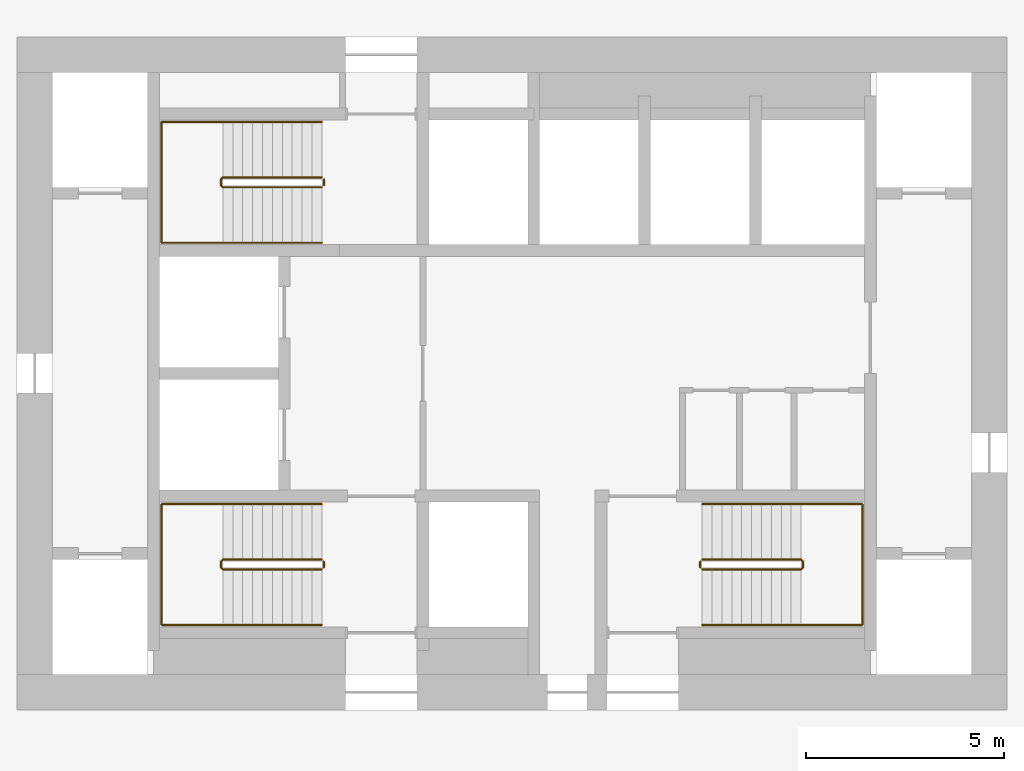
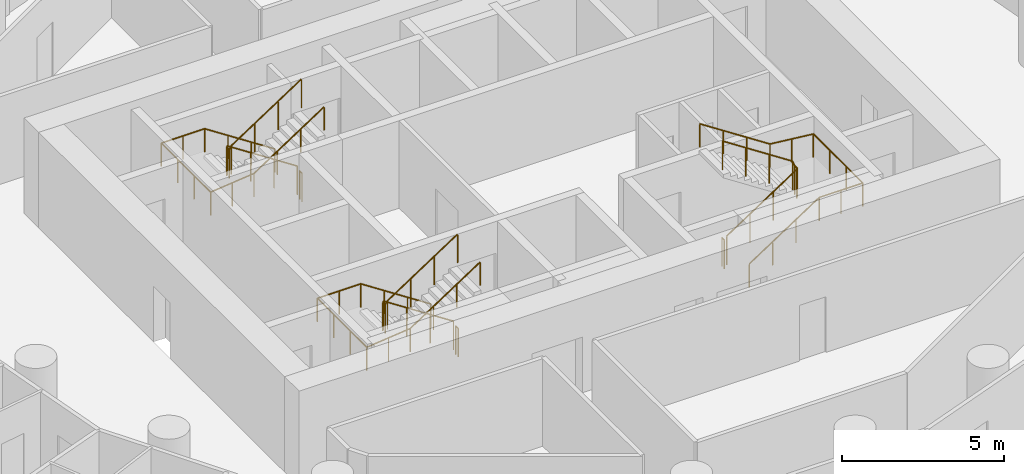
# One storey, part 9 of 9: 9 railings.
"""IFC4 building model written with IfcOpenShell, lengths in metres."""

from ifc_helpers import new_model, si_unit, direction, frame, origin, origin_2d, place, context, subcontext, project, spatial, circle, extrude, material, type_object, element, save


model = new_model("IFC4")

# Units and contexts
model_context = context("Model", 3, precision=1e-05, world=origin(), true_north=direction((0.0, 1.0)))
body_context = subcontext(model_context, "Body", "Model", "MODEL_VIEW")
ifc_project = project(units=[si_unit("LENGTHUNIT", "METRE"), si_unit("AREAUNIT", "SQUARE_METRE"), si_unit("VOLUMEUNIT", "CUBIC_METRE"), si_unit("PLANEANGLEUNIT", "RADIAN"), si_unit("MASSUNIT", "GRAM", prefix="KILO")], contexts=[model_context])

# Site, building, storey
site_placement = place(None, origin())
site = spatial("IfcSite", under=ifc_project, at=site_placement, CompositionType="ELEMENT")
building_placement = place(site_placement, origin())
building = spatial("IfcBuilding", under=site, at=building_placement, Name="Tracery Tower", CompositionType="ELEMENT")
storey_placement = place(building_placement, frame((0.0, 0.0, 205.199951171875)))
storey = spatial("IfcBuildingStorey", under=building, at=storey_placement, Name="L53", CompositionType="ELEMENT", Elevation=205.199951171875)

# Railings
ifc_material_1 = material(Name="Stainless steel and laminated glass", Category="steel")
railing_type_1 = type_object("IfcRailingType", Name="Stair guard 1100", PredefinedType="GUARDRAIL", material=ifc_material_1)
railing_1_placement = place(storey_placement, frame((-4.800048828125, -4.699951171875, 0.16357421875)))
element("IfcRailing", 1, at=railing_1_placement, inside=storey, type_object=railing_type_1, Name="L53 stair ST1 guard 1", PredefinedType="GUARDRAIL", context=body_context, shape_type="SweptSolid", body=[
    extrude(circle(Radius=0.02392578125, at=origin_2d()), frame((0.0, 0.0, 1.076171875), z_axis=(-0.83668449804, 0.0, 0.54768517484), x_axis=(0.0, -1.0, 0.0)), (0.0, 0.0, 1.0), 2.988037109375),
    extrude(circle(Radius=0.02392578125, at=origin_2d()), frame((-2.5, 0.0, 2.71240234375), z_axis=(-0.707106781187, -0.707106781187, 0.0), x_axis=(0.707106781187, -0.707106781187, 0.0)), (0.0, 0.0, 1.0), 0.07080078125),
    extrude(circle(Radius=0.02392578125, at=origin_2d()), frame((-2.550048828125, -0.050048828125, 2.71240234375), z_axis=(0.0, -1.0, 0.0), x_axis=(1.0, 0.0, 0.0)), (0.0, 0.0, 1.0), 0.14990234375),
    extrude(circle(Radius=0.02392578125, at=origin_2d()), frame((-2.550048828125, -0.199951171875, 2.71240234375), z_axis=(0.280808744504, -0.280808744504, 0.917765164963), x_axis=(0.707106781187, 0.707106781187, 0.0)), (0.0, 0.0, 1.0), 0.17822265625),
    extrude(circle(Radius=0.02392578125, at=origin_2d()), frame((-2.5, -0.25, 2.8759765625), z_axis=(0.83668449804, 0.0, 0.54768517484), x_axis=(0.0, 1.0, 0.0)), (0.0, 0.0, 1.0), 2.988037109375),
    extrude(circle(Radius=0.02099609375, at=origin_2d()), origin(), (0.0, 0.0, 1.0), 1.052001953125),
    extrude(circle(Radius=0.02099609375, at=origin_2d()), frame((-0.833251953125, 0.0, 0.54541015625)), (0.0, 0.0, 1.0), 1.052001953125),
    extrude(circle(Radius=0.02099609375, at=origin_2d()), frame((-1.666748046875, 0.0, 1.091064453125)), (0.0, 0.0, 1.0), 1.052001953125),
    extrude(circle(Radius=0.02099609375, at=origin_2d()), frame((-2.5, 0.0, 1.636474609375)), (0.0, 0.0, 1.0), 1.052001953125),
    extrude(circle(Radius=0.02099609375, at=origin_2d()), frame((-2.550048828125, -0.050048828125, 1.636474609375)), (0.0, 0.0, 1.0), 1.052001953125),
    extrude(circle(Radius=0.02099609375, at=origin_2d()), frame((-2.550048828125, -0.199951171875, 1.636474609375)), (0.0, 0.0, 1.0), 1.052001953125),
    extrude(circle(Radius=0.02099609375, at=origin_2d()), frame((-2.5, -0.25, 1.800048828125)), (0.0, 0.0, 1.0), 1.052001953125),
    extrude(circle(Radius=0.02099609375, at=origin_2d()), frame((-1.666748046875, -0.25, 2.345458984375)), (0.0, 0.0, 1.0), 1.052001953125),
    extrude(circle(Radius=0.02099609375, at=origin_2d()), frame((-0.833251953125, -0.25, 2.89111328125)), (0.0, 0.0, 1.0), 1.052001953125),
    extrude(circle(Radius=0.02099609375, at=origin_2d()), frame((0.0, -0.25, 3.4365234375)), (0.0, 0.0, 1.0), 1.052001953125),
])
railing_2_placement = place(storey_placement, frame((-4.75, -4.75, 0.0)))
element("IfcRailing", 2, at=railing_2_placement, inside=storey, type_object=railing_type_1, Name="L53 stair ST1 guard 2", PredefinedType="GUARDRAIL", context=body_context, shape_type="SweptSolid", body=[
    extrude(circle(Radius=0.02392578125, at=origin_2d()), frame((0.0, 0.0, 1.076171875), z_axis=(0.0, -1.0, 0.0), x_axis=(1.0, 0.0, 0.0)), (0.0, 0.0, 1.0), 0.14990234375),
    extrude(circle(Radius=0.02099609375, at=origin_2d()), origin(), (0.0, 0.0, 1.0), 1.052001953125),
    extrude(circle(Radius=0.02099609375, at=origin_2d()), frame((0.0, -0.14990234375, 0.0)), (0.0, 0.0, 1.0), 1.052001953125),
])
railing_3_placement = place(storey_placement, frame((-4.800048828125, 4.949951171875, 0.16357421875)))
element("IfcRailing", 3, at=railing_3_placement, inside=storey, type_object=railing_type_1, Name="L53 stair ST3 guard 1", PredefinedType="GUARDRAIL", context=body_context, shape_type="SweptSolid", body=[
    extrude(circle(Radius=0.02392578125, at=origin_2d()), frame((0.0, 0.0, 1.076171875), z_axis=(-0.83668449804, 0.0, 0.54768517484), x_axis=(0.0, -1.0, 0.0)), (0.0, 0.0, 1.0), 2.988037109375),
    extrude(circle(Radius=0.02392578125, at=origin_2d()), frame((-2.5, 0.0, 2.71240234375), z_axis=(-0.707106781187, -0.707106781187, 0.0), x_axis=(0.707106781187, -0.707106781187, 0.0)), (0.0, 0.0, 1.0), 0.07080078125),
    extrude(circle(Radius=0.02392578125, at=origin_2d()), frame((-2.550048828125, -0.050048828125, 2.71240234375), z_axis=(0.0, -1.0, 0.0), x_axis=(1.0, 0.0, 0.0)), (0.0, 0.0, 1.0), 0.14990234375),
    extrude(circle(Radius=0.02392578125, at=origin_2d()), frame((-2.550048828125, -0.199951171875, 2.71240234375), z_axis=(0.280808744504, -0.280808744504, 0.917765164963), x_axis=(0.707106781187, 0.707106781187, 0.0)), (0.0, 0.0, 1.0), 0.17822265625),
    extrude(circle(Radius=0.02392578125, at=origin_2d()), frame((-2.5, -0.25, 2.8759765625), z_axis=(0.83668449804, 0.0, 0.54768517484), x_axis=(0.0, 1.0, 0.0)), (0.0, 0.0, 1.0), 2.988037109375),
    extrude(circle(Radius=0.02099609375, at=origin_2d()), origin(), (0.0, 0.0, 1.0), 1.052001953125),
    extrude(circle(Radius=0.02099609375, at=origin_2d()), frame((-0.833251953125, 0.0, 0.54541015625)), (0.0, 0.0, 1.0), 1.052001953125),
    extrude(circle(Radius=0.02099609375, at=origin_2d()), frame((-1.666748046875, 0.0, 1.091064453125)), (0.0, 0.0, 1.0), 1.052001953125),
    extrude(circle(Radius=0.02099609375, at=origin_2d()), frame((-2.5, 0.0, 1.636474609375)), (0.0, 0.0, 1.0), 1.052001953125),
    extrude(circle(Radius=0.02099609375, at=origin_2d()), frame((-2.550048828125, -0.050048828125, 1.636474609375)), (0.0, 0.0, 1.0), 1.052001953125),
    extrude(circle(Radius=0.02099609375, at=origin_2d()), frame((-2.550048828125, -0.199951171875, 1.636474609375)), (0.0, 0.0, 1.0), 1.052001953125),
    extrude(circle(Radius=0.02099609375, at=origin_2d()), frame((-2.5, -0.25, 1.800048828125)), (0.0, 0.0, 1.0), 1.052001953125),
    extrude(circle(Radius=0.02099609375, at=origin_2d()), frame((-1.666748046875, -0.25, 2.345458984375)), (0.0, 0.0, 1.0), 1.052001953125),
    extrude(circle(Radius=0.02099609375, at=origin_2d()), frame((-0.833251953125, -0.25, 2.89111328125)), (0.0, 0.0, 1.0), 1.052001953125),
    extrude(circle(Radius=0.02099609375, at=origin_2d()), frame((0.0, -0.25, 3.4365234375)), (0.0, 0.0, 1.0), 1.052001953125),
])
railing_4_placement = place(storey_placement, frame((-4.75, 4.89990234375, 0.0)))
element("IfcRailing", 4, at=railing_4_placement, inside=storey, type_object=railing_type_1, Name="L53 stair ST3 guard 2", PredefinedType="GUARDRAIL", context=body_context, shape_type="SweptSolid", body=[
    extrude(circle(Radius=0.02392578125, at=origin_2d()), frame((0.0, 0.0, 1.076171875), z_axis=(0.0, -1.0, 0.0), x_axis=(1.0, 0.0, 0.0)), (0.0, 0.0, 1.0), 0.14990234375),
    extrude(circle(Radius=0.02099609375, at=origin_2d()), origin(), (0.0, 0.0, 1.0), 1.052001953125),
    extrude(circle(Radius=0.02099609375, at=origin_2d()), frame((0.0, -0.14990234375, 0.0)), (0.0, 0.0, 1.0), 1.052001953125),
])
railing_5_placement = place(storey_placement, frame((4.800048828125, -4.949951171875, 0.16357421875)))
element("IfcRailing", 5, at=railing_5_placement, inside=storey, type_object=railing_type_1, Name="L53 stair ST2 guard 1", PredefinedType="GUARDRAIL", context=body_context, shape_type="SweptSolid", body=[
    extrude(circle(Radius=0.02392578125, at=origin_2d()), frame((0.0, 0.0, 1.076171875), z_axis=(0.83668449804, 0.0, 0.54768517484), x_axis=(0.0, 1.0, 0.0)), (0.0, 0.0, 1.0), 2.988037109375),
    extrude(circle(Radius=0.02392578125, at=origin_2d()), frame((2.5, 0.0, 2.71240234375), z_axis=(0.707106781187, 0.707106781187, 0.0), x_axis=(-0.707106781187, 0.707106781187, 0.0)), (0.0, 0.0, 1.0), 0.07080078125),
    extrude(circle(Radius=0.02392578125, at=origin_2d()), frame((2.550048828125, 0.050048828125, 2.71240234375), z_axis=(0.0, 1.0, 0.0), x_axis=(-1.0, 0.0, 0.0)), (0.0, 0.0, 1.0), 0.14990234375),
    extrude(circle(Radius=0.02392578125, at=origin_2d()), frame((2.550048828125, 0.199951171875, 2.71240234375), z_axis=(-0.280808744504, 0.280808744504, 0.917765164963), x_axis=(-0.707106781187, -0.707106781187, 0.0)), (0.0, 0.0, 1.0), 0.17822265625),
    extrude(circle(Radius=0.02392578125, at=origin_2d()), frame((2.5, 0.25, 2.8759765625), z_axis=(-0.83668449804, 0.0, 0.54768517484), x_axis=(0.0, -1.0, 0.0)), (0.0, 0.0, 1.0), 2.988037109375),
    extrude(circle(Radius=0.02099609375, at=origin_2d()), origin(), (0.0, 0.0, 1.0), 1.052001953125),
    extrude(circle(Radius=0.02099609375, at=origin_2d()), frame((0.833251953125, 0.0, 0.54541015625)), (0.0, 0.0, 1.0), 1.052001953125),
    extrude(circle(Radius=0.02099609375, at=origin_2d()), frame((1.666748046875, 0.0, 1.091064453125)), (0.0, 0.0, 1.0), 1.052001953125),
    extrude(circle(Radius=0.02099609375, at=origin_2d()), frame((2.5, 0.0, 1.636474609375)), (0.0, 0.0, 1.0), 1.052001953125),
    extrude(circle(Radius=0.02099609375, at=origin_2d()), frame((2.550048828125, 0.050048828125, 1.636474609375)), (0.0, 0.0, 1.0), 1.052001953125),
    extrude(circle(Radius=0.02099609375, at=origin_2d()), frame((2.550048828125, 0.199951171875, 1.636474609375)), (0.0, 0.0, 1.0), 1.052001953125),
    extrude(circle(Radius=0.02099609375, at=origin_2d()), frame((2.5, 0.25, 1.800048828125)), (0.0, 0.0, 1.0), 1.052001953125),
    extrude(circle(Radius=0.02099609375, at=origin_2d()), frame((1.666748046875, 0.25, 2.345458984375)), (0.0, 0.0, 1.0), 1.052001953125),
    extrude(circle(Radius=0.02099609375, at=origin_2d()), frame((0.833251953125, 0.25, 2.89111328125)), (0.0, 0.0, 1.0), 1.052001953125),
    extrude(circle(Radius=0.02099609375, at=origin_2d()), frame((0.0, 0.25, 3.4365234375)), (0.0, 0.0, 1.0), 1.052001953125),
])
railing_6_placement = place(storey_placement, frame((4.75, -4.89990234375, 0.0)))
element("IfcRailing", 6, at=railing_6_placement, inside=storey, type_object=railing_type_1, Name="L53 stair ST2 guard 2", PredefinedType="GUARDRAIL", context=body_context, shape_type="SweptSolid", body=[
    extrude(circle(Radius=0.02392578125, at=origin_2d()), frame((0.0, 0.0, 1.076171875), z_axis=(0.0, 1.0, 0.0), x_axis=(-1.0, 0.0, 0.0)), (0.0, 0.0, 1.0), 0.14990234375),
    extrude(circle(Radius=0.02099609375, at=origin_2d()), origin(), (0.0, 0.0, 1.0), 1.052001953125),
    extrude(circle(Radius=0.02099609375, at=origin_2d()), frame((0.0, 0.14990234375, 0.0)), (0.0, 0.0, 1.0), 1.052001953125),
])
ifc_material_2 = material(Name="Stainless steel and laminated glass", Category="steel")
railing_type_2 = type_object("IfcRailingType", Name="Stair handrail 900", PredefinedType="HANDRAIL", material=ifc_material_2)
railing_7_placement = place(storey_placement, frame((-4.800048828125, -3.300048828125, 0.16357421875)))
element("IfcRailing", 7, at=railing_7_placement, inside=storey, type_object=railing_type_2, Name="L53 stair ST1 handrail 1", PredefinedType="HANDRAIL", context=body_context, shape_type="SweptSolid", body=[
    extrude(circle(Radius=0.02392578125, at=origin_2d()), frame((0.0, 0.0, 0.8759765625), z_axis=(-0.83668449804, 0.0, 0.54768517484), x_axis=(0.0, -1.0, 0.0)), (0.0, 0.0, 1.0), 2.988037109375),
    extrude(circle(Radius=0.02392578125, at=origin_2d()), frame((-2.5, 0.0, 2.51220703125), z_axis=(-1.0, 0.0, 0.0), x_axis=(0.0, -1.0, 0.0)), (0.0, 0.0, 1.0), 1.550048828125),
    extrude(circle(Radius=0.02392578125, at=origin_2d()), frame((-4.050048828125, 0.0, 2.51220703125), z_axis=(0.0, -1.0, 0.0), x_axis=(1.0, 0.0, 0.0)), (0.0, 0.0, 1.0), 3.050048828125),
    extrude(circle(Radius=0.02392578125, at=origin_2d()), frame((-4.050048828125, -3.050048828125, 2.51220703125), z_axis=(0.994477953863, 0.0, 0.104945696817), x_axis=(0.0, 1.0, 0.0)), (0.0, 0.0, 1.0), 1.55859375),
    extrude(circle(Radius=0.02392578125, at=origin_2d()), frame((-2.5, -3.050048828125, 2.67578125), z_axis=(0.83668449804, 0.0, 0.54768517484), x_axis=(0.0, 1.0, 0.0)), (0.0, 0.0, 1.0), 2.988037109375),
    extrude(circle(Radius=0.02099609375, at=origin_2d()), origin(), (0.0, 0.0, 1.0), 0.851806640625),
    extrude(circle(Radius=0.02099609375, at=origin_2d()), frame((-0.833251953125, 0.0, 0.54541015625)), (0.0, 0.0, 1.0), 0.851806640625),
    extrude(circle(Radius=0.02099609375, at=origin_2d()), frame((-1.666748046875, 0.0, 1.091064453125)), (0.0, 0.0, 1.0), 0.851806640625),
    extrude(circle(Radius=0.02099609375, at=origin_2d()), frame((-2.5, 0.0, 1.636474609375)), (0.0, 0.0, 1.0), 0.851806640625),
    extrude(circle(Radius=0.02099609375, at=origin_2d()), frame((-3.27490234375, 0.0, 1.636474609375)), (0.0, 0.0, 1.0), 0.851806640625),
    extrude(circle(Radius=0.02099609375, at=origin_2d()), frame((-4.050048828125, 0.0, 1.636474609375)), (0.0, 0.0, 1.0), 0.851806640625),
    extrude(circle(Radius=0.02099609375, at=origin_2d()), frame((-4.050048828125, -1.0166015625, 1.636474609375)), (0.0, 0.0, 1.0), 0.851806640625),
    extrude(circle(Radius=0.02099609375, at=origin_2d()), frame((-4.050048828125, -2.033447265625, 1.636474609375)), (0.0, 0.0, 1.0), 0.851806640625),
    extrude(circle(Radius=0.02099609375, at=origin_2d()), frame((-4.050048828125, -3.050048828125, 1.636474609375)), (0.0, 0.0, 1.0), 0.851806640625),
    extrude(circle(Radius=0.02099609375, at=origin_2d()), frame((-3.27490234375, -3.050048828125, 1.71826171875)), (0.0, 0.0, 1.0), 0.851806640625),
    extrude(circle(Radius=0.02099609375, at=origin_2d()), frame((-2.5, -3.050048828125, 1.800048828125)), (0.0, 0.0, 1.0), 0.851806640625),
    extrude(circle(Radius=0.02099609375, at=origin_2d()), frame((-1.666748046875, -3.050048828125, 2.345458984375)), (0.0, 0.0, 1.0), 0.851806640625),
    extrude(circle(Radius=0.02099609375, at=origin_2d()), frame((-0.833251953125, -3.050048828125, 2.89111328125)), (0.0, 0.0, 1.0), 0.851806640625),
    extrude(circle(Radius=0.02099609375, at=origin_2d()), frame((0.0, -3.050048828125, 3.4365234375)), (0.0, 0.0, 1.0), 0.851806640625),
])
railing_8_placement = place(storey_placement, frame((-4.800048828125, 6.35009765625, 0.16357421875)))
element("IfcRailing", 8, at=railing_8_placement, inside=storey, type_object=railing_type_2, Name="L53 stair ST3 handrail 1", PredefinedType="HANDRAIL", context=body_context, shape_type="SweptSolid", body=[
    extrude(circle(Radius=0.02392578125, at=origin_2d()), frame((0.0, 0.0, 0.8759765625), z_axis=(-0.83668449804, 0.0, 0.54768517484), x_axis=(0.0, -1.0, 0.0)), (0.0, 0.0, 1.0), 2.988037109375),
    extrude(circle(Radius=0.02392578125, at=origin_2d()), frame((-2.5, 0.0, 2.51220703125), z_axis=(-1.0, 0.0, 0.0), x_axis=(0.0, -1.0, 0.0)), (0.0, 0.0, 1.0), 1.550048828125),
    extrude(circle(Radius=0.02392578125, at=origin_2d()), frame((-4.050048828125, 0.0, 2.51220703125), z_axis=(0.0, -1.0, 0.0), x_axis=(1.0, 0.0, 0.0)), (0.0, 0.0, 1.0), 3.050048828125),
    extrude(circle(Radius=0.02392578125, at=origin_2d()), frame((-4.050048828125, -3.050048828125, 2.51220703125), z_axis=(0.994477953863, 0.0, 0.104945696817), x_axis=(0.0, 1.0, 0.0)), (0.0, 0.0, 1.0), 1.55859375),
    extrude(circle(Radius=0.02392578125, at=origin_2d()), frame((-2.5, -3.050048828125, 2.67578125), z_axis=(0.83668449804, 0.0, 0.54768517484), x_axis=(0.0, 1.0, 0.0)), (0.0, 0.0, 1.0), 2.988037109375),
    extrude(circle(Radius=0.02099609375, at=origin_2d()), origin(), (0.0, 0.0, 1.0), 0.851806640625),
    extrude(circle(Radius=0.02099609375, at=origin_2d()), frame((-0.833251953125, 0.0, 0.54541015625)), (0.0, 0.0, 1.0), 0.851806640625),
    extrude(circle(Radius=0.02099609375, at=origin_2d()), frame((-1.666748046875, 0.0, 1.091064453125)), (0.0, 0.0, 1.0), 0.851806640625),
    extrude(circle(Radius=0.02099609375, at=origin_2d()), frame((-2.5, 0.0, 1.636474609375)), (0.0, 0.0, 1.0), 0.851806640625),
    extrude(circle(Radius=0.02099609375, at=origin_2d()), frame((-3.27490234375, 0.0, 1.636474609375)), (0.0, 0.0, 1.0), 0.851806640625),
    extrude(circle(Radius=0.02099609375, at=origin_2d()), frame((-4.050048828125, 0.0, 1.636474609375)), (0.0, 0.0, 1.0), 0.851806640625),
    extrude(circle(Radius=0.02099609375, at=origin_2d()), frame((-4.050048828125, -1.0166015625, 1.636474609375)), (0.0, 0.0, 1.0), 0.851806640625),
    extrude(circle(Radius=0.02099609375, at=origin_2d()), frame((-4.050048828125, -2.033447265625, 1.636474609375)), (0.0, 0.0, 1.0), 0.851806640625),
    extrude(circle(Radius=0.02099609375, at=origin_2d()), frame((-4.050048828125, -3.050048828125, 1.636474609375)), (0.0, 0.0, 1.0), 0.851806640625),
    extrude(circle(Radius=0.02099609375, at=origin_2d()), frame((-3.27490234375, -3.050048828125, 1.71826171875)), (0.0, 0.0, 1.0), 0.851806640625),
    extrude(circle(Radius=0.02099609375, at=origin_2d()), frame((-2.5, -3.050048828125, 1.800048828125)), (0.0, 0.0, 1.0), 0.851806640625),
    extrude(circle(Radius=0.02099609375, at=origin_2d()), frame((-1.666748046875, -3.050048828125, 2.345458984375)), (0.0, 0.0, 1.0), 0.851806640625),
    extrude(circle(Radius=0.02099609375, at=origin_2d()), frame((-0.833251953125, -3.050048828125, 2.89111328125)), (0.0, 0.0, 1.0), 0.851806640625),
    extrude(circle(Radius=0.02099609375, at=origin_2d()), frame((0.0, -3.050048828125, 3.4365234375)), (0.0, 0.0, 1.0), 0.851806640625),
])
railing_9_placement = place(storey_placement, frame((4.800048828125, -6.35009765625, 0.16357421875)))
element("IfcRailing", 9, at=railing_9_placement, inside=storey, type_object=railing_type_2, Name="L53 stair ST2 handrail 1", PredefinedType="HANDRAIL", context=body_context, shape_type="SweptSolid", body=[
    extrude(circle(Radius=0.02392578125, at=origin_2d()), frame((0.0, 0.0, 0.8759765625), z_axis=(0.83668449804, 0.0, 0.54768517484), x_axis=(0.0, 1.0, 0.0)), (0.0, 0.0, 1.0), 2.988037109375),
    extrude(circle(Radius=0.02392578125, at=origin_2d()), frame((2.5, 0.0, 2.51220703125), z_axis=(1.0, 0.0, 0.0), x_axis=(0.0, 1.0, 0.0)), (0.0, 0.0, 1.0), 1.550048828125),
    extrude(circle(Radius=0.02392578125, at=origin_2d()), frame((4.050048828125, 0.0, 2.51220703125), z_axis=(0.0, 1.0, 0.0), x_axis=(-1.0, 0.0, 0.0)), (0.0, 0.0, 1.0), 3.050048828125),
    extrude(circle(Radius=0.02392578125, at=origin_2d()), frame((4.050048828125, 3.050048828125, 2.51220703125), z_axis=(-0.994477953863, 0.0, 0.104945696817), x_axis=(0.0, -1.0, 0.0)), (0.0, 0.0, 1.0), 1.55859375),
    extrude(circle(Radius=0.02392578125, at=origin_2d()), frame((2.5, 3.050048828125, 2.67578125), z_axis=(-0.83668449804, 0.0, 0.54768517484), x_axis=(0.0, -1.0, 0.0)), (0.0, 0.0, 1.0), 2.988037109375),
    extrude(circle(Radius=0.02099609375, at=origin_2d()), origin(), (0.0, 0.0, 1.0), 0.851806640625),
    extrude(circle(Radius=0.02099609375, at=origin_2d()), frame((0.833251953125, 0.0, 0.54541015625)), (0.0, 0.0, 1.0), 0.851806640625),
    extrude(circle(Radius=0.02099609375, at=origin_2d()), frame((1.666748046875, 0.0, 1.091064453125)), (0.0, 0.0, 1.0), 0.851806640625),
    extrude(circle(Radius=0.02099609375, at=origin_2d()), frame((2.5, 0.0, 1.636474609375)), (0.0, 0.0, 1.0), 0.851806640625),
    extrude(circle(Radius=0.02099609375, at=origin_2d()), frame((3.27490234375, 0.0, 1.636474609375)), (0.0, 0.0, 1.0), 0.851806640625),
    extrude(circle(Radius=0.02099609375, at=origin_2d()), frame((4.050048828125, 0.0, 1.636474609375)), (0.0, 0.0, 1.0), 0.851806640625),
    extrude(circle(Radius=0.02099609375, at=origin_2d()), frame((4.050048828125, 1.0166015625, 1.636474609375)), (0.0, 0.0, 1.0), 0.851806640625),
    extrude(circle(Radius=0.02099609375, at=origin_2d()), frame((4.050048828125, 2.033447265625, 1.636474609375)), (0.0, 0.0, 1.0), 0.851806640625),
    extrude(circle(Radius=0.02099609375, at=origin_2d()), frame((4.050048828125, 3.050048828125, 1.636474609375)), (0.0, 0.0, 1.0), 0.851806640625),
    extrude(circle(Radius=0.02099609375, at=origin_2d()), frame((3.27490234375, 3.050048828125, 1.71826171875)), (0.0, 0.0, 1.0), 0.851806640625),
    extrude(circle(Radius=0.02099609375, at=origin_2d()), frame((2.5, 3.050048828125, 1.800048828125)), (0.0, 0.0, 1.0), 0.851806640625),
    extrude(circle(Radius=0.02099609375, at=origin_2d()), frame((1.666748046875, 3.050048828125, 2.345458984375)), (0.0, 0.0, 1.0), 0.851806640625),
    extrude(circle(Radius=0.02099609375, at=origin_2d()), frame((0.833251953125, 3.050048828125, 2.89111328125)), (0.0, 0.0, 1.0), 0.851806640625),
    extrude(circle(Radius=0.02099609375, at=origin_2d()), frame((0.0, 3.050048828125, 3.4365234375)), (0.0, 0.0, 1.0), 0.851806640625),
])

save(model, "model.ifc")
